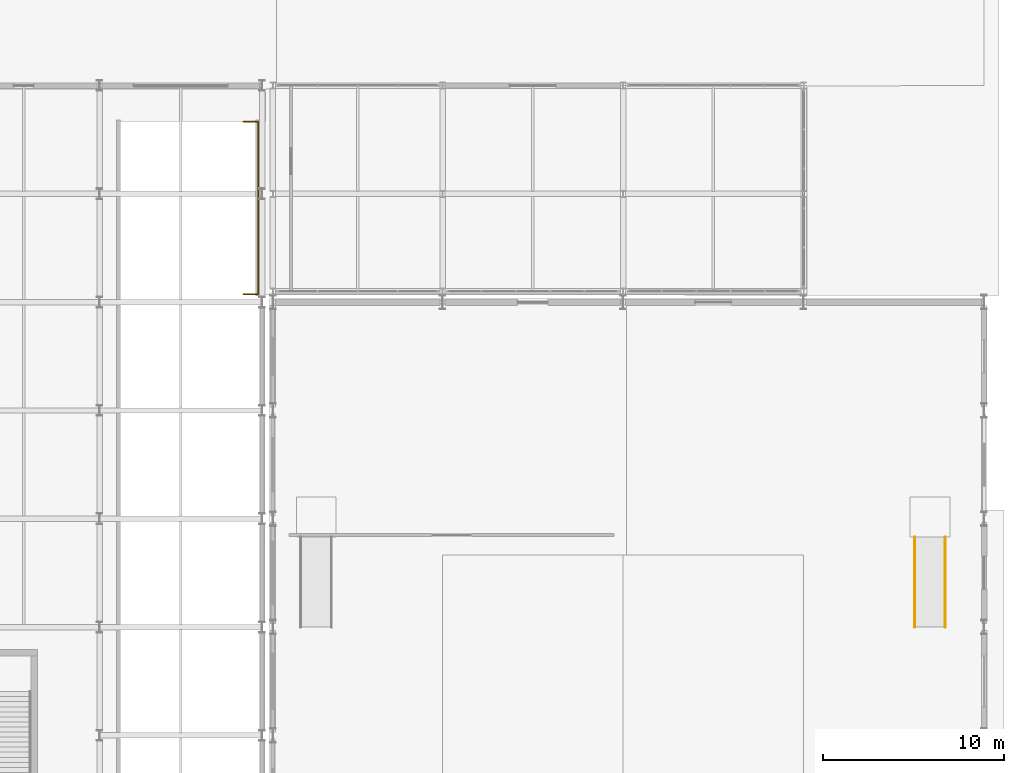
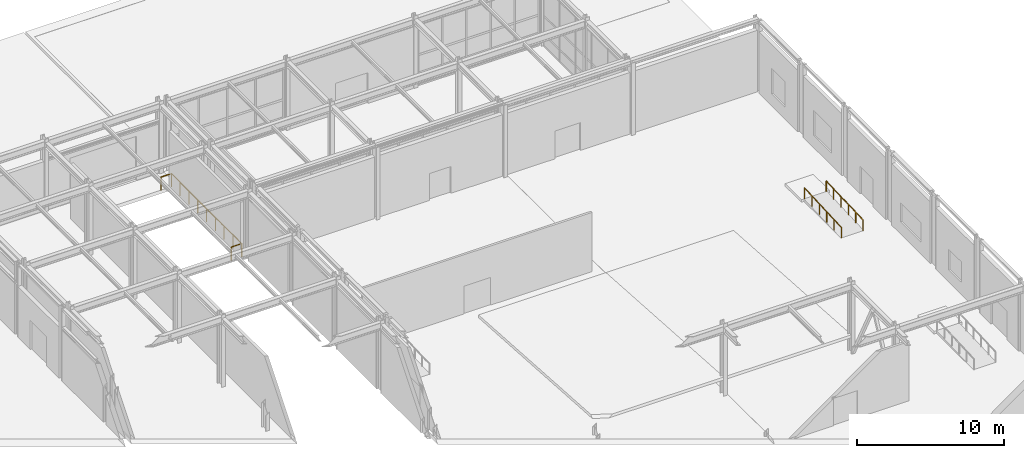
# One storey, part 146 of 146: 3 railings.
"""IFC4 building model written with IfcOpenShell, lengths in metres."""

from ifc_helpers import new_model, si_unit, direction, frame, origin, origin_2d, place, context, subcontext, project, spatial, circle, extrude, material, type_object, element, save


model = new_model("IFC4")

# Units and contexts
model_context = context("Model", 3, precision=1e-05, world=origin(), true_north=direction((0.0, 1.0)))
body_context = subcontext(model_context, "Body", "Model", "MODEL_VIEW")
ifc_project = project(units=[si_unit("LENGTHUNIT", "METRE"), si_unit("AREAUNIT", "SQUARE_METRE"), si_unit("VOLUMEUNIT", "CUBIC_METRE"), si_unit("PLANEANGLEUNIT", "RADIAN"), si_unit("MASSUNIT", "GRAM", prefix="KILO")], contexts=[model_context])

# Site, building, storey
site_placement = place(None, origin())
site = spatial("IfcSite", under=ifc_project, at=site_placement, CompositionType="ELEMENT")
building_placement = place(site_placement, origin())
building = spatial("IfcBuilding", under=site, at=building_placement, Name="Kaldris Quays Convention Centre", CompositionType="ELEMENT")
storey_placement = place(building_placement, origin())
storey = spatial("IfcBuildingStorey", under=building, at=storey_placement, Name="L00", CompositionType="ELEMENT", Elevation=0.0)

# Railings
ifc_material_1 = material(Name="Steel S355J2", Category="steel")
railing_type_1 = type_object("IfcRailingType", Name="INTERIOR GUARDRAIL GR01", PredefinedType="GUARDRAIL", material=ifc_material_1)
railing_placement = place(storey_placement, frame((162.9599609375, 104.43994140625, 0.0)))
element("IfcRailing", 1, at=railing_placement, inside=storey, type_object=railing_type_1, Name="L00 Vehicle Ramp Safety Guard GR01 4", PredefinedType="GUARDRAIL", context=body_context, shape_type="SweptSolid", body=[
    extrude(circle(Radius=0.02392578125, at=origin_2d()), frame((0.0, 0.0, 1.076171875), z_axis=(1.0, 0.0, 0.0), x_axis=(0.0, 1.0, 0.0)), (0.0, 0.0, 1.0), 0.820068359375),
    extrude(circle(Radius=0.02392578125, at=origin_2d()), frame((0.820068359375, 0.0, 1.076171875), z_axis=(0.0, 1.0, 0.0), x_axis=(-1.0, 0.0, 0.0)), (0.0, 0.0, 1.0), 9.56005859375),
    extrude(circle(Radius=0.02392578125, at=origin_2d()), frame((0.820068359375, 9.56005859375, 1.076171875), z_axis=(-1.0, 0.0, 0.0), x_axis=(0.0, -1.0, 0.0)), (0.0, 0.0, 1.0), 0.820068359375),
    extrude(circle(Radius=0.02099609375, at=origin_2d()), origin(), (0.0, 0.0, 1.0), 1.052001953125),
    extrude(circle(Radius=0.02099609375, at=origin_2d()), frame((0.820068359375, 0.0, 0.0)), (0.0, 0.0, 1.0), 1.052001953125),
    extrude(circle(Radius=0.02099609375, at=origin_2d()), frame((0.820068359375, 1.195068359375, 0.0)), (0.0, 0.0, 1.0), 1.052001953125),
    extrude(circle(Radius=0.02099609375, at=origin_2d()), frame((0.820068359375, 2.39013671875, 0.0)), (0.0, 0.0, 1.0), 1.052001953125),
    extrude(circle(Radius=0.02099609375, at=origin_2d()), frame((0.820068359375, 3.5849609375, 0.0)), (0.0, 0.0, 1.0), 1.052001953125),
    extrude(circle(Radius=0.02099609375, at=origin_2d()), frame((0.820068359375, 4.780029296875, 0.0)), (0.0, 0.0, 1.0), 1.052001953125),
    extrude(circle(Radius=0.02099609375, at=origin_2d()), frame((0.820068359375, 5.97509765625, 0.0)), (0.0, 0.0, 1.0), 1.052001953125),
    extrude(circle(Radius=0.02099609375, at=origin_2d()), frame((0.820068359375, 7.169921875, 0.0)), (0.0, 0.0, 1.0), 1.052001953125),
    extrude(circle(Radius=0.02099609375, at=origin_2d()), frame((0.820068359375, 8.364990234375, 0.0)), (0.0, 0.0, 1.0), 1.052001953125),
    extrude(circle(Radius=0.02099609375, at=origin_2d()), frame((0.820068359375, 9.56005859375, 0.0)), (0.0, 0.0, 1.0), 1.052001953125),
    extrude(circle(Radius=0.02099609375, at=origin_2d()), frame((0.0, 9.56005859375, 0.0)), (0.0, 0.0, 1.0), 1.052001953125),
])
ifc_material_2 = material(Name="Stainless steel 1.4301", Category="steel")
railing_type_2 = type_object("IfcRailingType", Name="STAIR HANDRAIL HR01", PredefinedType="HANDRAIL", material=ifc_material_2)
for number, where, name in (
    (2, (200.14990234375, 86.0, 0.0), "PRMP-2 Accessible Ramp Handrail L"),
    (3, (201.85009765625, 86.0, 0.0), "PRMP-2 Accessible Ramp Handrail R"),
):
    element("IfcRailing", number, at=place(storey_placement, frame(where)), inside=storey, type_object=railing_type_2, Name=name, PredefinedType="HANDRAIL", context=body_context, shape_type="SweptSolid", body=[
        extrude(circle(Radius=0.02392578125, at=origin_2d()), frame((0.0, 0.0, 0.8759765625), z_axis=(0.0, 0.999050720124, 0.043562123685), x_axis=(-1.0, 0.0, 0.0)), (0.0, 0.0, 1.0), 5.004638671875),
        extrude(circle(Radius=0.02099609375, at=origin_2d()), origin(), (0.0, 0.0, 1.0), 0.851806640625),
        extrude(circle(Radius=0.02099609375, at=origin_2d()), frame((0.0, 1.0, 0.043701171875)), (0.0, 0.0, 1.0), 0.851806640625),
        extrude(circle(Radius=0.02099609375, at=origin_2d()), frame((0.0, 2.0, 0.087158203125)), (0.0, 0.0, 1.0), 0.851806640625),
        extrude(circle(Radius=0.02099609375, at=origin_2d()), frame((0.0, 3.0, 0.130859375)), (0.0, 0.0, 1.0), 0.851806640625),
        extrude(circle(Radius=0.02099609375, at=origin_2d()), frame((0.0, 4.0, 0.17431640625)), (0.0, 0.0, 1.0), 0.851806640625),
        extrude(circle(Radius=0.02099609375, at=origin_2d()), frame((0.0, 5.0, 0.218017578125)), (0.0, 0.0, 1.0), 0.851806640625),
    ])

save(model, "model.ifc")
